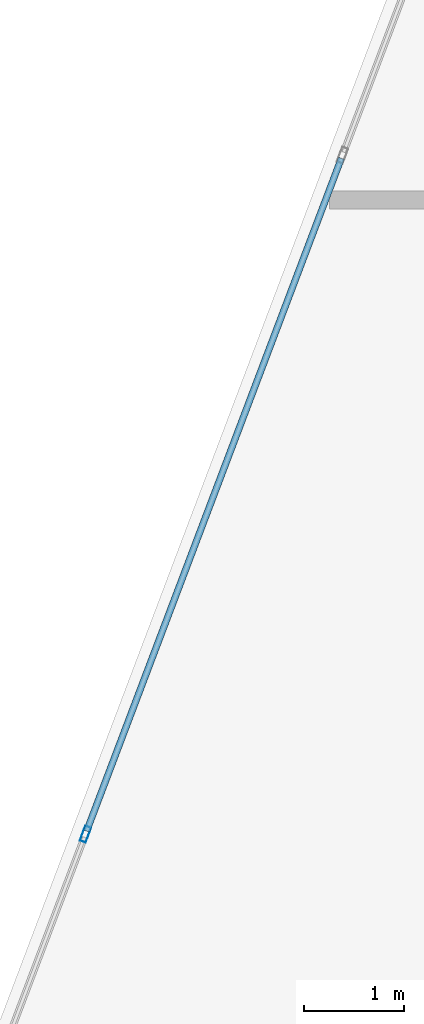
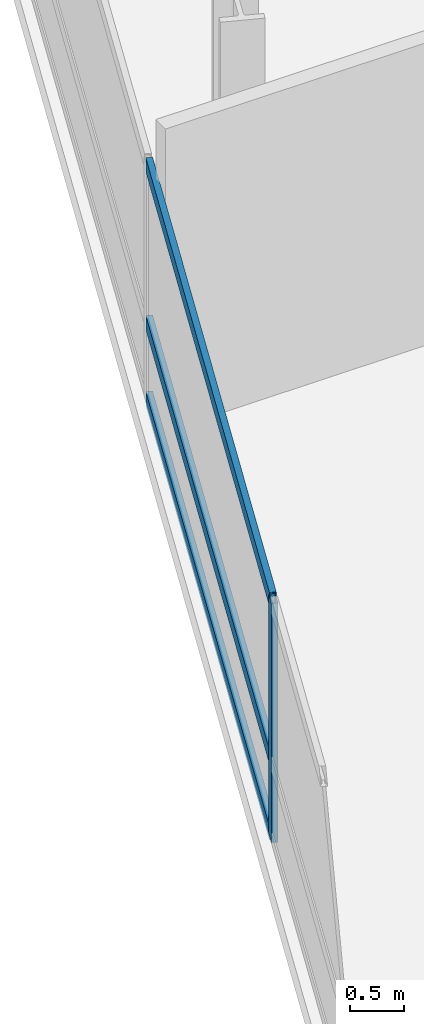
# One storey, part 6 of 25: 4 members, 1 element without a shape of its own.
"""IFC4 building model written with IfcOpenShell, lengths in metres."""

from ifc_helpers import new_model, si_unit, direction, frame, origin, origin_2d, place, context, subcontext, project, spatial, hollow_rectangle, extrude, material, layer, layer_set, material_profile, profile_set, type_object, element, aggregate, save


model = new_model("IFC4")

# Units and contexts
model_context = context("Model", 3, precision=1e-05, world=origin(), true_north=direction((0.0, 1.0)))
body_context = subcontext(model_context, "Body", "Model", "MODEL_VIEW")
ifc_project = project(units=[si_unit("LENGTHUNIT", "METRE"), si_unit("AREAUNIT", "SQUARE_METRE"), si_unit("VOLUMEUNIT", "CUBIC_METRE"), si_unit("PLANEANGLEUNIT", "RADIAN"), si_unit("MASSUNIT", "GRAM", prefix="KILO")], contexts=[model_context])

# Site, building, storey
site_placement = place(None, origin())
site = spatial("IfcSite", under=ifc_project, at=site_placement, CompositionType="ELEMENT")
building_placement = place(site_placement, origin())
building = spatial("IfcBuilding", under=site, at=building_placement, Name="Varnelok Gate Tower", CompositionType="ELEMENT")
storey_placement = place(building_placement, frame((0.0, 0.0, 79.89990234375)))
storey = spatial("IfcBuildingStorey", under=building, at=storey_placement, Name="L19", CompositionType="ELEMENT", Elevation=79.89990234375)

# Curtain wall, members
ifc_material = material(Name="Anodized Aluminum Alloy 6063-T6", Category="aluminium")
ifc_layer = layer(ifc_material, 0.179931640625)
ifc_layer_set = layer_set([ifc_layer], Name="Anodized Aluminum Alloy 6063-T6")
curtain_wall_type = type_object("IfcCurtainWallType", Name="CW3-HOTEL-VISION", PredefinedType="USERDEFINED", material=ifc_layer_set)
curtain_wall_placement = place(storey_placement, origin())
curtain_wall = element("IfcCurtainWall", 1, at=curtain_wall_placement, inside=storey, type_object=curtain_wall_type, Name="L19 West End Vision Curtain Wall", ObjectType="UNITISED CURTAIN WALL", PredefinedType="USERDEFINED")
ifc_material_profile_1 = material_profile(ifc_material, hollow_rectangle(XDim=0.06494140625, YDim=0.159912109375, WallThickness=0.00390625, at=origin_2d()), Name="ALU160X65X4")
ifc_profile_set_1 = profile_set([ifc_material_profile_1], Name="Anodized Aluminum Alloy 6063-T6")
member_type_1 = type_object("IfcMemberType", Name="CW-MULL-160", PredefinedType="MULLION", material=ifc_profile_set_1)
member_1_placement = place(storey_placement, frame((3.072021484375, 35.10693359375, 0.0), z_axis=(0.0, 0.0, 1.0), x_axis=(-0.935221323688, 0.354063660545, 0.0)))
member_1 = element("IfcMember", 2, at=member_1_placement, type_object=member_type_1, Name="CW3 mullion 3", PredefinedType="MULLION", context=body_context, shape_type="SweptSolid", body=[
    extrude(hollow_rectangle(XDim=0.06494140625, YDim=0.159912109375, WallThickness=0.00390625, at=origin_2d()), origin(), (0.0, 0.0, 1.0), 2.72998046875),
])
ifc_material_profile_2 = material_profile(ifc_material, hollow_rectangle(XDim=0.06494140625, YDim=0.159912109375, WallThickness=0.00390625, at=origin_2d()), Name="ALU160X65X4")
ifc_profile_set_2 = profile_set([ifc_material_profile_2], Name="Anodized Aluminum Alloy 6063-T6")
member_type_2 = type_object("IfcMemberType", Name="CW-TRAN-160", PredefinedType="USERDEFINED", material=ifc_profile_set_2)
member_2_placement = place(storey_placement, frame((3.08349609375, 35.13720703125, 0.03271484375), z_axis=(0.354048963644, 0.935226887628, 0.0), x_axis=(-0.935226887628, 0.354048963644, 0.0)))
member_2 = element("IfcMember", 3, at=member_2_placement, type_object=member_type_2, Name="CW3 transom 3.1", ObjectType="TRANSOM", PredefinedType="USERDEFINED", context=body_context, shape_type="SweptSolid", body=[
    extrude(hollow_rectangle(XDim=0.06494140625, YDim=0.159912109375, WallThickness=0.00390625, at=origin_2d()), origin(), (0.0, 0.0, 1.0), 7.175048828125),
])
member_3_placement = place(storey_placement, frame((3.08349609375, 35.13720703125, 0.900146484375), z_axis=(0.354048963644, 0.935226887628, 0.0), x_axis=(-0.935226887628, 0.354048963644, 0.0)))
member_3 = element("IfcMember", 4, at=member_3_placement, type_object=member_type_2, Name="CW3 transom 3.2", ObjectType="TRANSOM", PredefinedType="USERDEFINED", context=body_context, shape_type="SweptSolid", body=[
    extrude(hollow_rectangle(XDim=0.06494140625, YDim=0.159912109375, WallThickness=0.00390625, at=origin_2d()), origin(), (0.0, 0.0, 1.0), 7.175048828125),
])
member_4_placement = place(storey_placement, frame((3.08349609375, 35.13720703125, 2.697509765625), z_axis=(0.354048963644, 0.935226887628, 0.0), x_axis=(-0.935226887628, 0.354048963644, 0.0)))
member_4 = element("IfcMember", 5, at=member_4_placement, type_object=member_type_2, Name="CW3 transom 3.3", ObjectType="TRANSOM", PredefinedType="USERDEFINED", context=body_context, shape_type="SweptSolid", body=[
    extrude(hollow_rectangle(XDim=0.06494140625, YDim=0.159912109375, WallThickness=0.00390625, at=origin_2d()), origin(), (0.0, 0.0, 1.0), 7.175048828125),
])
aggregate(curtain_wall, [member_1, member_2, member_3, member_4])

save(model, "model.ifc")
